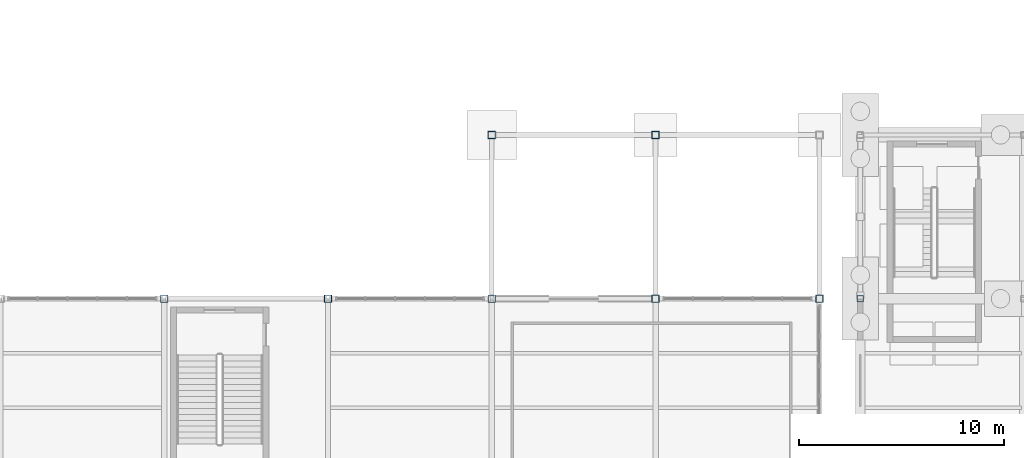
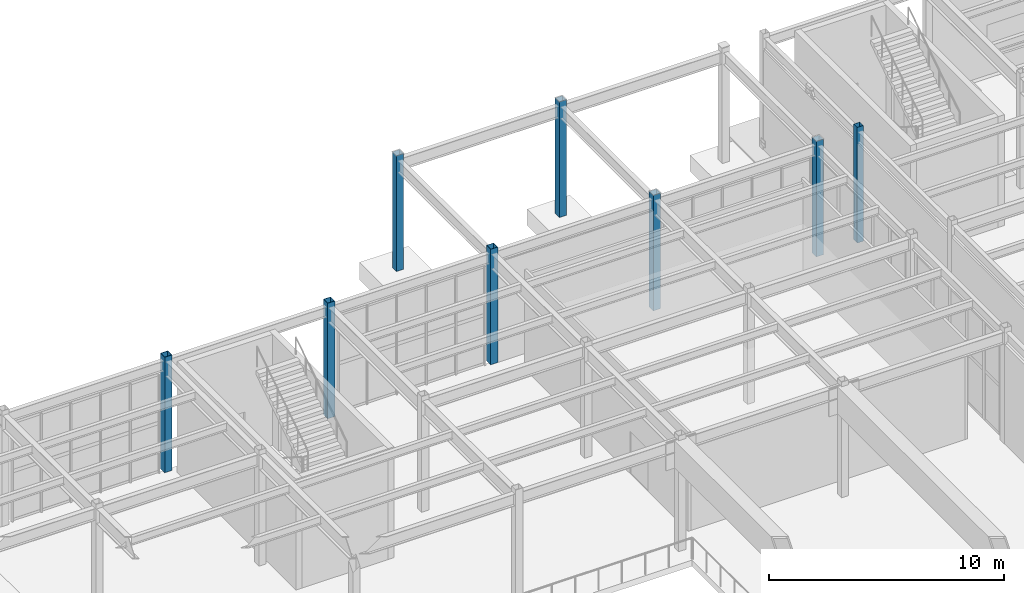
# One storey, part 19 of 82: 8 columns.
"""IFC4 building model written with IfcOpenShell, lengths in metres."""

from ifc_helpers import new_model, si_unit, direction, frame, origin, origin_2d, place, context, subcontext, project, spatial, hollow_rectangle, extrude, material, material_profile, profile_set, type_object, element, save


model = new_model("IFC4")

# Units and contexts
model_context = context("Model", 3, precision=1e-05, world=origin(), true_north=direction((0.0, 1.0)))
body_context = subcontext(model_context, "Body", "Model", "MODEL_VIEW")
ifc_project = project(units=[si_unit("LENGTHUNIT", "METRE"), si_unit("AREAUNIT", "SQUARE_METRE"), si_unit("VOLUMEUNIT", "CUBIC_METRE"), si_unit("PLANEANGLEUNIT", "RADIAN"), si_unit("MASSUNIT", "GRAM", prefix="KILO")], contexts=[model_context])

# Site, building, storey
site_placement = place(None, origin())
site = spatial("IfcSite", under=ifc_project, at=site_placement, CompositionType="ELEMENT")
building_placement = place(site_placement, origin())
building = spatial("IfcBuilding", under=site, at=building_placement, Name="Drelvath Fold Interchange", CompositionType="ELEMENT")
storey_placement = place(building_placement, origin())
storey = spatial("IfcBuildingStorey", under=building, at=storey_placement, Name="L00", CompositionType="ELEMENT", Elevation=0.0)

# Columns
ifc_material = material(Name="Steel ASTM A500 Grade C", Category="steel")
ifc_material_profile_1 = material_profile(ifc_material, hollow_rectangle(XDim=0.304931640625, YDim=0.304931640625, WallThickness=0.01171875, at=origin_2d()), Name="HSS12X12X1/2")
ifc_profile_set_1 = profile_set([ifc_material_profile_1], Name="Steel ASTM A500 Grade C")
column_type_1 = type_object("IfcColumnType", Name="COL-HSS305", PredefinedType="COLUMN", material=ifc_profile_set_1)
column_placement = place(storey_placement, frame((102.0, 99.0, 0.0), z_axis=(0.0, 0.0, 1.0), x_axis=(1.0, 0.0, 0.0)))
element("IfcColumn", 1, at=column_placement, inside=storey, type_object=column_type_1, Name="L00 column (102,99)", PredefinedType="COLUMN", context=body_context, shape_type="SweptSolid", body=[
    extrude(hollow_rectangle(XDim=0.304931640625, YDim=0.304931640625, WallThickness=0.01171875, at=origin_2d()), origin(), (0.0, 0.0, 1.0), 6.0),
])
ifc_material_profile_2 = material_profile(ifc_material, hollow_rectangle(XDim=0.35595703125, YDim=0.35595703125, WallThickness=0.014892578125, at=origin_2d()), Name="HSS14X14X5/8")
ifc_profile_set_2 = profile_set([ifc_material_profile_2], Name="Steel ASTM A500 Grade C")
column_type_2 = type_object("IfcColumnType", Name="COL-HSS356", PredefinedType="COLUMN", material=ifc_profile_set_2)
for number, where, z_axis, x_axis, name in (
    (2, (68.0, 99.0, 0.0), (0.0, 0.0, 1.0), (1.0, 0.0, 0.0), "L00 column (68,99)"),
    (3, (76.0, 99.0, 0.0), (0.0, 0.0, 1.0), (1.0, 0.0, 0.0), "L00 column (76,99)"),
    (4, (84.0, 99.0, 0.0), (0.0, 0.0, 1.0), (1.0, 0.0, 0.0), "L00 column (84,99)"),
    (5, (92.0, 99.0, 0.0), (0.0, 0.0, 1.0), (1.0, 0.0, 0.0), "L00 column (92,99)"),
    (6, (100.0, 99.0, 0.0), (0.0, 0.0, 1.0), (1.0, 0.0, 0.0), "L00 column (100,99)"),
    (7, (84.0, 107.0, 0.0), (0.0, 0.0, 1.0), (1.0, 0.0, 0.0), "L00 column (84,107)"),
    (8, (92.0, 107.0, 0.0), (0.0, 0.0, 1.0), (1.0, 0.0, 0.0), "L00 column (92,107)"),
):
    element("IfcColumn", number, at=place(storey_placement, frame(where, z_axis=z_axis, x_axis=x_axis)), inside=storey, type_object=column_type_2, Name=name, PredefinedType="COLUMN", context=body_context, shape_type="SweptSolid", body=[
        extrude(hollow_rectangle(XDim=0.35595703125, YDim=0.35595703125, WallThickness=0.014892578125, at=origin_2d()), origin(), (0.0, 0.0, 1.0), 6.0),
    ])

save(model, "model.ifc")
